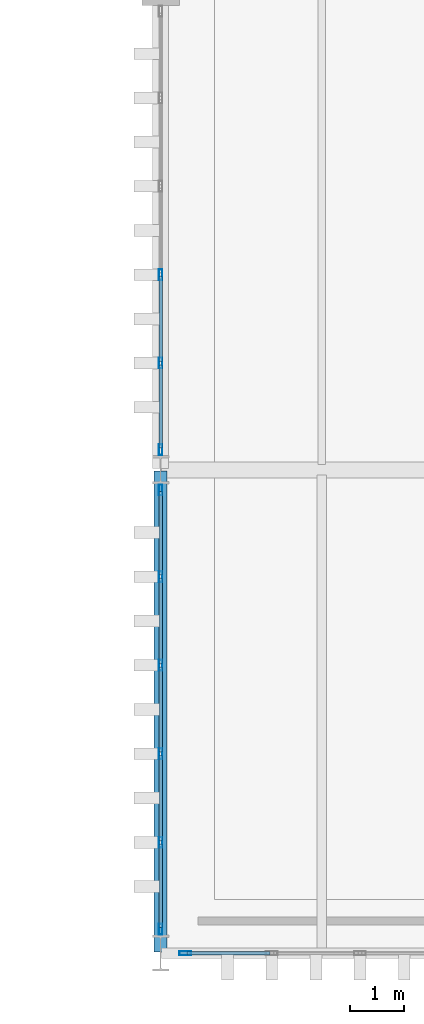
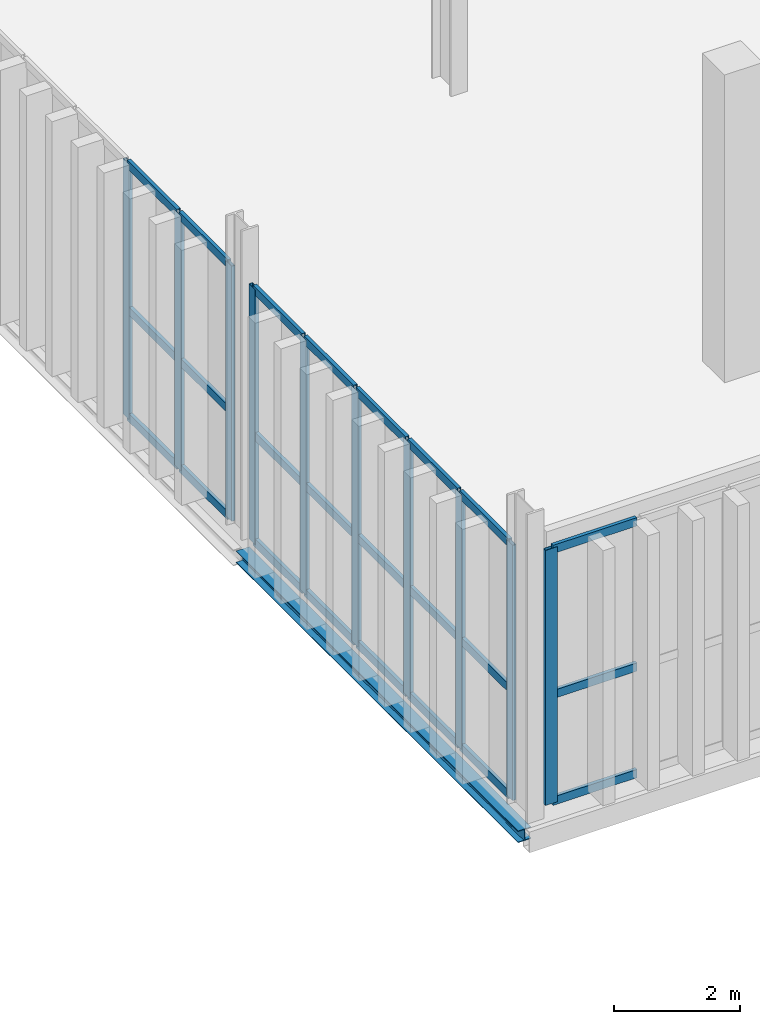
# One storey, part 57 of 211: 34 members, 1 beam, 3 elements without a shape of their own.
"""IFC4 building model written with IfcOpenShell, lengths in metres."""

from ifc_helpers import new_model, si_unit, direction, frame, origin, origin_2d, place, context, subcontext, project, spatial, hollow_rectangle, i_section, extrude, material, layer, layer_set, material_profile, profile_set, type_object, element, aggregate, save


model = new_model("IFC4")

# Units and contexts
model_context = context("Model", 3, precision=1e-05, world=origin(), true_north=direction((0.0, 1.0)))
body_context = subcontext(model_context, "Body", "Model", "MODEL_VIEW")
ifc_project = project(units=[si_unit("LENGTHUNIT", "METRE"), si_unit("AREAUNIT", "SQUARE_METRE"), si_unit("VOLUMEUNIT", "CUBIC_METRE"), si_unit("PLANEANGLEUNIT", "RADIAN"), si_unit("MASSUNIT", "GRAM", prefix="KILO")], contexts=[model_context])

# Site, building, storey
site_placement = place(None, origin())
site = spatial("IfcSite", under=ifc_project, at=site_placement, CompositionType="ELEMENT")
building_placement = place(site_placement, origin())
building = spatial("IfcBuilding", under=site, at=building_placement, Name="Barlavento Convention Centre", CompositionType="ELEMENT")
storey_placement = place(building_placement, frame((0.0, 0.0, 6.0)))
storey = spatial("IfcBuildingStorey", under=building, at=storey_placement, Name="L01", CompositionType="ELEMENT", Elevation=6.0)

# Curtain wall, members
ifc_material_1 = material(Name="Powder-coated aluminium and Low-E glass", Category="aluminium")
ifc_layer = layer(ifc_material_1, 0.18994140625)
ifc_layer_set = layer_set([ifc_layer], Name="ARC-CW-BALL-L01")
curtain_wall_type = type_object("IfcCurtainWallType", Name="ARC-CW-BALL-L01", PredefinedType="NOTDEFINED", material=ifc_layer_set)
curtain_wall_1_placement = place(storey_placement, origin())
curtain_wall_1 = element("IfcCurtainWall", 1, at=curtain_wall_1_placement, inside=storey, type_object=curtain_wall_type, Name="L01 unitised curtain wall CW06", PredefinedType="NOTDEFINED")
ifc_material_2 = material(Name="Powder-coated aluminium", Category="aluminium")
ifc_material_profile_1 = material_profile(ifc_material_2, hollow_rectangle(XDim=0.06494140625, YDim=0.199951171875, WallThickness=0.0048828125, at=origin_2d()), Name="AL-MULL 65x200x5")
ifc_profile_set_1 = profile_set([ifc_material_profile_1], Name="Powder-coated aluminium")
member_type_1 = type_object("IfcMemberType", Name="ARC-CWM-65X200", PredefinedType="MULLION", material=ifc_profile_set_1)
member_1_placement = place(storey_placement, frame((126.0, 0.446533203125, 0.0), z_axis=(0.0, 0.0, 1.0), x_axis=(-1.0, 0.0, 0.0)))
member_1 = element("IfcMember", 2, at=member_1_placement, type_object=member_type_1, Name="CW06 mullion 1", PredefinedType="MULLION", context=body_context, shape_type="SweptSolid", body=[
    extrude(hollow_rectangle(XDim=0.06494140625, YDim=0.199951171875, WallThickness=0.0048828125, at=origin_2d()), origin(), (0.0, 0.0, 1.0), 4.949951171875),
])
member_2_placement = place(storey_placement, frame((126.0, 2.062744140625, 0.0), z_axis=(0.0, 0.0, 1.0), x_axis=(-1.0, 0.0, 0.0)))
member_2 = element("IfcMember", 3, at=member_2_placement, type_object=member_type_1, Name="CW06 mullion 2", PredefinedType="MULLION", context=body_context, shape_type="SweptSolid", body=[
    extrude(hollow_rectangle(XDim=0.06494140625, YDim=0.199951171875, WallThickness=0.0048828125, at=origin_2d()), origin(), (0.0, 0.0, 1.0), 4.949951171875),
])
member_3_placement = place(storey_placement, frame((126.0, 3.711669921875, 0.0), z_axis=(0.0, 0.0, 1.0), x_axis=(-1.0, 0.0, 0.0)))
member_3 = element("IfcMember", 4, at=member_3_placement, type_object=member_type_1, Name="CW06 mullion 3", PredefinedType="MULLION", context=body_context, shape_type="SweptSolid", body=[
    extrude(hollow_rectangle(XDim=0.06494140625, YDim=0.199951171875, WallThickness=0.0048828125, at=origin_2d()), origin(), (0.0, 0.0, 1.0), 4.949951171875),
])
member_4_placement = place(storey_placement, frame((126.0, 5.3603515625, 0.0), z_axis=(0.0, 0.0, 1.0), x_axis=(-1.0, 0.0, 0.0)))
member_4 = element("IfcMember", 5, at=member_4_placement, type_object=member_type_1, Name="CW06 mullion 4", PredefinedType="MULLION", context=body_context, shape_type="SweptSolid", body=[
    extrude(hollow_rectangle(XDim=0.06494140625, YDim=0.199951171875, WallThickness=0.0048828125, at=origin_2d()), origin(), (0.0, 0.0, 1.0), 4.949951171875),
])
member_5_placement = place(storey_placement, frame((126.0, 7.00927734375, 0.0), z_axis=(0.0, 0.0, 1.0), x_axis=(-1.0, 0.0, 0.0)))
member_5 = element("IfcMember", 6, at=member_5_placement, type_object=member_type_1, Name="CW06 mullion 5", PredefinedType="MULLION", context=body_context, shape_type="SweptSolid", body=[
    extrude(hollow_rectangle(XDim=0.06494140625, YDim=0.199951171875, WallThickness=0.0048828125, at=origin_2d()), origin(), (0.0, 0.0, 1.0), 4.949951171875),
])
member_6_placement = place(storey_placement, frame((126.0, 8.62548828125, 0.0), z_axis=(0.0, 0.0, 1.0), x_axis=(-1.0, 0.0, 0.0)))
member_6 = element("IfcMember", 7, at=member_6_placement, type_object=member_type_1, Name="CW06 mullion 6", PredefinedType="MULLION", context=body_context, shape_type="SweptSolid", body=[
    extrude(hollow_rectangle(XDim=0.06494140625, YDim=0.199951171875, WallThickness=0.0048828125, at=origin_2d()), origin(), (0.0, 0.0, 1.0), 4.949951171875),
])

curtain_wall_2_placement = place(storey_placement, origin())
curtain_wall_2 = element("IfcCurtainWall", 8, at=curtain_wall_2_placement, inside=storey, type_object=curtain_wall_type, Name="L01 unitised curtain wall CW06", PredefinedType="NOTDEFINED")
member_7_placement = place(storey_placement, frame((126.0, 9.37451171875, 0.0), z_axis=(0.0, 0.0, 1.0), x_axis=(-1.0, 0.0, 0.0)))
member_7 = element("IfcMember", 9, at=member_7_placement, type_object=member_type_1, Name="CW06 mullion 1", PredefinedType="MULLION", context=body_context, shape_type="SweptSolid", body=[
    extrude(hollow_rectangle(XDim=0.06494140625, YDim=0.199951171875, WallThickness=0.0048828125, at=origin_2d()), origin(), (0.0, 0.0, 1.0), 4.949951171875),
])
member_8_placement = place(storey_placement, frame((126.0, 10.987548828125, 0.0), z_axis=(0.0, 0.0, 1.0), x_axis=(-1.0, 0.0, 0.0)))
member_8 = element("IfcMember", 10, at=member_8_placement, type_object=member_type_1, Name="CW06 mullion 2", PredefinedType="MULLION", context=body_context, shape_type="SweptSolid", body=[
    extrude(hollow_rectangle(XDim=0.06494140625, YDim=0.199951171875, WallThickness=0.0048828125, at=origin_2d()), origin(), (0.0, 0.0, 1.0), 4.949951171875),
])
member_9_placement = place(storey_placement, frame((126.0, 12.63330078125, 0.0), z_axis=(0.0, 0.0, 1.0), x_axis=(-1.0, 0.0, 0.0)))
member_9 = element("IfcMember", 11, at=member_9_placement, type_object=member_type_1, Name="CW06 mullion 3", PredefinedType="MULLION", context=body_context, shape_type="SweptSolid", body=[
    extrude(hollow_rectangle(XDim=0.06494140625, YDim=0.199951171875, WallThickness=0.0048828125, at=origin_2d()), origin(), (0.0, 0.0, 1.0), 4.949951171875),
])

curtain_wall_3_placement = place(storey_placement, origin())
curtain_wall_3 = element("IfcCurtainWall", 12, at=curtain_wall_3_placement, inside=storey, type_object=curtain_wall_type, Name="L01 unitised curtain wall CW06", PredefinedType="NOTDEFINED")
ifc_material_profile_2 = material_profile(ifc_material_2, hollow_rectangle(XDim=0.070068359375, YDim=0.219970703125, WallThickness=0.006103515625, at=origin_2d()), Name="AL-MULL 70x220x6")
ifc_profile_set_2 = profile_set([ifc_material_profile_2], Name="Powder-coated aluminium")
member_type_2 = type_object("IfcMemberType", Name="ARC-CWM-70X220", PredefinedType="MULLION", material=ifc_profile_set_2)
member_10_placement = place(storey_placement, frame((126.458984375, 0.0, 0.0), z_axis=(0.0, 0.0, 1.0), x_axis=(0.0, 1.0, 0.0)))
member_10 = element("IfcMember", 13, at=member_10_placement, type_object=member_type_2, Name="CW06 mullion 1", PredefinedType="MULLION", context=body_context, shape_type="SweptSolid", body=[
    extrude(hollow_rectangle(XDim=0.070068359375, YDim=0.219970703125, WallThickness=0.006103515625, at=origin_2d()), origin(), (0.0, 0.0, 1.0), 4.949951171875),
])
ifc_material_profile_3 = material_profile(ifc_material_2, hollow_rectangle(XDim=0.06494140625, YDim=0.159912109375, WallThickness=0.0048828125, at=origin_2d()), Name="AL-TRAN 65x160x5")
ifc_profile_set_3 = profile_set([ifc_material_profile_3], Name="Powder-coated aluminium")
member_type_3 = type_object("IfcMemberType", Name="ARC-CWT-65X160", PredefinedType="USERDEFINED", material=ifc_profile_set_3)
member_11_placement = place(storey_placement, frame((126.493896484375, 0.0, 0.032470703125), z_axis=(1.0, 0.0, 0.0), x_axis=(0.0, 1.0, 0.0)))
member_11 = element("IfcMember", 14, at=member_11_placement, type_object=member_type_3, Name="CW06 transom 1.1", ObjectType="TRANSOM", PredefinedType="USERDEFINED", context=body_context, shape_type="SweptSolid", body=[
    extrude(hollow_rectangle(XDim=0.06494140625, YDim=0.159912109375, WallThickness=0.0048828125, at=origin_2d()), origin(), (0.0, 0.0, 1.0), 1.539794921875),
])
member_12_placement = place(storey_placement, frame((126.493896484375, 0.0, 2.10009765625), z_axis=(1.0, 0.0, 0.0), x_axis=(0.0, 1.0, 0.0)))
member_12 = element("IfcMember", 15, at=member_12_placement, type_object=member_type_3, Name="CW06 transom 1.2", ObjectType="TRANSOM", PredefinedType="USERDEFINED", context=body_context, shape_type="SweptSolid", body=[
    extrude(hollow_rectangle(XDim=0.06494140625, YDim=0.159912109375, WallThickness=0.0048828125, at=origin_2d()), origin(), (0.0, 0.0, 1.0), 1.539794921875),
])
member_13_placement = place(storey_placement, frame((126.493896484375, 0.0, 4.91748046875), z_axis=(1.0, 0.0, 0.0), x_axis=(0.0, 1.0, 0.0)))
member_13 = element("IfcMember", 16, at=member_13_placement, type_object=member_type_3, Name="CW06 transom 1.3", ObjectType="TRANSOM", PredefinedType="USERDEFINED", context=body_context, shape_type="SweptSolid", body=[
    extrude(hollow_rectangle(XDim=0.06494140625, YDim=0.159912109375, WallThickness=0.0048828125, at=origin_2d()), origin(), (0.0, 0.0, 1.0), 1.539794921875),
])
aggregate(curtain_wall_3, [member_10, member_11, member_12, member_13])

# Member
member_14_placement = place(storey_placement, frame((126.0, 0.47900390625, 0.032470703125), z_axis=(0.0, 1.0, 0.0), x_axis=(-1.0, 0.0, 0.0)))
member_14 = element("IfcMember", 17, at=member_14_placement, type_object=member_type_3, Name="CW06 transom 1.1", ObjectType="TRANSOM", PredefinedType="USERDEFINED", context=body_context, shape_type="SweptSolid", body=[
    extrude(hollow_rectangle(XDim=0.06494140625, YDim=0.159912109375, WallThickness=0.0048828125, at=origin_2d()), origin(), (0.0, 0.0, 1.0), 1.55126953125),
])

member_15_placement = place(storey_placement, frame((126.0, 0.47900390625, 2.10009765625), z_axis=(0.0, 1.0, 0.0), x_axis=(-1.0, 0.0, 0.0)))
member_15 = element("IfcMember", 18, at=member_15_placement, type_object=member_type_3, Name="CW06 transom 1.2", ObjectType="TRANSOM", PredefinedType="USERDEFINED", context=body_context, shape_type="SweptSolid", body=[
    extrude(hollow_rectangle(XDim=0.06494140625, YDim=0.159912109375, WallThickness=0.0048828125, at=origin_2d()), origin(), (0.0, 0.0, 1.0), 1.55126953125),
])

member_16_placement = place(storey_placement, frame((126.0, 0.47900390625, 4.91748046875), z_axis=(0.0, 1.0, 0.0), x_axis=(-1.0, 0.0, 0.0)))
member_16 = element("IfcMember", 19, at=member_16_placement, type_object=member_type_3, Name="CW06 transom 1.3", ObjectType="TRANSOM", PredefinedType="USERDEFINED", context=body_context, shape_type="SweptSolid", body=[
    extrude(hollow_rectangle(XDim=0.06494140625, YDim=0.159912109375, WallThickness=0.0048828125, at=origin_2d()), origin(), (0.0, 0.0, 1.0), 1.55126953125),
])

member_17_placement = place(storey_placement, frame((126.0, 2.09521484375, 0.032470703125), z_axis=(0.0, 1.0, 0.0), x_axis=(-1.0, 0.0, 0.0)))
member_17 = element("IfcMember", 20, at=member_17_placement, type_object=member_type_3, Name="CW06 transom 2.1", ObjectType="TRANSOM", PredefinedType="USERDEFINED", context=body_context, shape_type="SweptSolid", body=[
    extrude(hollow_rectangle(XDim=0.06494140625, YDim=0.159912109375, WallThickness=0.0048828125, at=origin_2d()), origin(), (0.0, 0.0, 1.0), 1.583984375),
])

member_18_placement = place(storey_placement, frame((126.0, 2.09521484375, 2.10009765625), z_axis=(0.0, 1.0, 0.0), x_axis=(-1.0, 0.0, 0.0)))
member_18 = element("IfcMember", 21, at=member_18_placement, type_object=member_type_3, Name="CW06 transom 2.2", ObjectType="TRANSOM", PredefinedType="USERDEFINED", context=body_context, shape_type="SweptSolid", body=[
    extrude(hollow_rectangle(XDim=0.06494140625, YDim=0.159912109375, WallThickness=0.0048828125, at=origin_2d()), origin(), (0.0, 0.0, 1.0), 1.583984375),
])

member_19_placement = place(storey_placement, frame((126.0, 2.09521484375, 4.91748046875), z_axis=(0.0, 1.0, 0.0), x_axis=(-1.0, 0.0, 0.0)))
member_19 = element("IfcMember", 22, at=member_19_placement, type_object=member_type_3, Name="CW06 transom 2.3", ObjectType="TRANSOM", PredefinedType="USERDEFINED", context=body_context, shape_type="SweptSolid", body=[
    extrude(hollow_rectangle(XDim=0.06494140625, YDim=0.159912109375, WallThickness=0.0048828125, at=origin_2d()), origin(), (0.0, 0.0, 1.0), 1.583984375),
])

member_20_placement = place(storey_placement, frame((126.0, 3.744140625, 0.032470703125), z_axis=(0.0, 1.0, 0.0), x_axis=(-1.0, 0.0, 0.0)))
member_20 = element("IfcMember", 23, at=member_20_placement, type_object=member_type_3, Name="CW06 transom 3.1", ObjectType="TRANSOM", PredefinedType="USERDEFINED", context=body_context, shape_type="SweptSolid", body=[
    extrude(hollow_rectangle(XDim=0.06494140625, YDim=0.159912109375, WallThickness=0.0048828125, at=origin_2d()), origin(), (0.0, 0.0, 1.0), 1.583740234375),
])

member_21_placement = place(storey_placement, frame((126.0, 3.744140625, 2.10009765625), z_axis=(0.0, 1.0, 0.0), x_axis=(-1.0, 0.0, 0.0)))
member_21 = element("IfcMember", 24, at=member_21_placement, type_object=member_type_3, Name="CW06 transom 3.2", ObjectType="TRANSOM", PredefinedType="USERDEFINED", context=body_context, shape_type="SweptSolid", body=[
    extrude(hollow_rectangle(XDim=0.06494140625, YDim=0.159912109375, WallThickness=0.0048828125, at=origin_2d()), origin(), (0.0, 0.0, 1.0), 1.583740234375),
])

member_22_placement = place(storey_placement, frame((126.0, 3.744140625, 4.91748046875), z_axis=(0.0, 1.0, 0.0), x_axis=(-1.0, 0.0, 0.0)))
member_22 = element("IfcMember", 25, at=member_22_placement, type_object=member_type_3, Name="CW06 transom 3.3", ObjectType="TRANSOM", PredefinedType="USERDEFINED", context=body_context, shape_type="SweptSolid", body=[
    extrude(hollow_rectangle(XDim=0.06494140625, YDim=0.159912109375, WallThickness=0.0048828125, at=origin_2d()), origin(), (0.0, 0.0, 1.0), 1.583740234375),
])

member_23_placement = place(storey_placement, frame((126.0, 5.392822265625, 0.032470703125), z_axis=(0.0, 1.0, 0.0), x_axis=(-1.0, 0.0, 0.0)))
member_23 = element("IfcMember", 26, at=member_23_placement, type_object=member_type_3, Name="CW06 transom 4.1", ObjectType="TRANSOM", PredefinedType="USERDEFINED", context=body_context, shape_type="SweptSolid", body=[
    extrude(hollow_rectangle(XDim=0.06494140625, YDim=0.159912109375, WallThickness=0.0048828125, at=origin_2d()), origin(), (0.0, 0.0, 1.0), 1.583984375),
])

member_24_placement = place(storey_placement, frame((126.0, 5.392822265625, 2.10009765625), z_axis=(0.0, 1.0, 0.0), x_axis=(-1.0, 0.0, 0.0)))
member_24 = element("IfcMember", 27, at=member_24_placement, type_object=member_type_3, Name="CW06 transom 4.2", ObjectType="TRANSOM", PredefinedType="USERDEFINED", context=body_context, shape_type="SweptSolid", body=[
    extrude(hollow_rectangle(XDim=0.06494140625, YDim=0.159912109375, WallThickness=0.0048828125, at=origin_2d()), origin(), (0.0, 0.0, 1.0), 1.583984375),
])

member_25_placement = place(storey_placement, frame((126.0, 5.392822265625, 4.91748046875), z_axis=(0.0, 1.0, 0.0), x_axis=(-1.0, 0.0, 0.0)))
member_25 = element("IfcMember", 28, at=member_25_placement, type_object=member_type_3, Name="CW06 transom 4.3", ObjectType="TRANSOM", PredefinedType="USERDEFINED", context=body_context, shape_type="SweptSolid", body=[
    extrude(hollow_rectangle(XDim=0.06494140625, YDim=0.159912109375, WallThickness=0.0048828125, at=origin_2d()), origin(), (0.0, 0.0, 1.0), 1.583984375),
])

member_26_placement = place(storey_placement, frame((126.0, 7.041748046875, 0.032470703125), z_axis=(0.0, 1.0, 0.0), x_axis=(-1.0, 0.0, 0.0)))
member_26 = element("IfcMember", 29, at=member_26_placement, type_object=member_type_3, Name="CW06 transom 5.1", ObjectType="TRANSOM", PredefinedType="USERDEFINED", context=body_context, shape_type="SweptSolid", body=[
    extrude(hollow_rectangle(XDim=0.06494140625, YDim=0.159912109375, WallThickness=0.0048828125, at=origin_2d()), origin(), (0.0, 0.0, 1.0), 1.55126953125),
])

member_27_placement = place(storey_placement, frame((126.0, 7.041748046875, 2.10009765625), z_axis=(0.0, 1.0, 0.0), x_axis=(-1.0, 0.0, 0.0)))
member_27 = element("IfcMember", 30, at=member_27_placement, type_object=member_type_3, Name="CW06 transom 5.2", ObjectType="TRANSOM", PredefinedType="USERDEFINED", context=body_context, shape_type="SweptSolid", body=[
    extrude(hollow_rectangle(XDim=0.06494140625, YDim=0.159912109375, WallThickness=0.0048828125, at=origin_2d()), origin(), (0.0, 0.0, 1.0), 1.55126953125),
])

member_28_placement = place(storey_placement, frame((126.0, 7.041748046875, 4.91748046875), z_axis=(0.0, 1.0, 0.0), x_axis=(-1.0, 0.0, 0.0)))
member_28 = element("IfcMember", 31, at=member_28_placement, type_object=member_type_3, Name="CW06 transom 5.3", ObjectType="TRANSOM", PredefinedType="USERDEFINED", context=body_context, shape_type="SweptSolid", body=[
    extrude(hollow_rectangle(XDim=0.06494140625, YDim=0.159912109375, WallThickness=0.0048828125, at=origin_2d()), origin(), (0.0, 0.0, 1.0), 1.55126953125),
])

aggregate(curtain_wall_1, [member_1, member_2, member_3, member_4, member_5, member_6, member_14, member_15, member_16, member_17, member_18, member_19, member_20, member_21, member_22, member_23, member_24, member_25, member_26, member_27, member_28])

member_29_placement = place(storey_placement, frame((126.0, 9.406982421875, 0.032470703125), z_axis=(0.0, 1.0, 0.0), x_axis=(-1.0, 0.0, 0.0)))
member_29 = element("IfcMember", 32, at=member_29_placement, type_object=member_type_3, Name="CW06 transom 1.1", ObjectType="TRANSOM", PredefinedType="USERDEFINED", context=body_context, shape_type="SweptSolid", body=[
    extrude(hollow_rectangle(XDim=0.06494140625, YDim=0.159912109375, WallThickness=0.0048828125, at=origin_2d()), origin(), (0.0, 0.0, 1.0), 1.548095703125),
])

member_30_placement = place(storey_placement, frame((126.0, 9.406982421875, 2.10009765625), z_axis=(0.0, 1.0, 0.0), x_axis=(-1.0, 0.0, 0.0)))
member_30 = element("IfcMember", 33, at=member_30_placement, type_object=member_type_3, Name="CW06 transom 1.2", ObjectType="TRANSOM", PredefinedType="USERDEFINED", context=body_context, shape_type="SweptSolid", body=[
    extrude(hollow_rectangle(XDim=0.06494140625, YDim=0.159912109375, WallThickness=0.0048828125, at=origin_2d()), origin(), (0.0, 0.0, 1.0), 1.548095703125),
])

member_31_placement = place(storey_placement, frame((126.0, 9.406982421875, 4.91748046875), z_axis=(0.0, 1.0, 0.0), x_axis=(-1.0, 0.0, 0.0)))
member_31 = element("IfcMember", 34, at=member_31_placement, type_object=member_type_3, Name="CW06 transom 1.3", ObjectType="TRANSOM", PredefinedType="USERDEFINED", context=body_context, shape_type="SweptSolid", body=[
    extrude(hollow_rectangle(XDim=0.06494140625, YDim=0.159912109375, WallThickness=0.0048828125, at=origin_2d()), origin(), (0.0, 0.0, 1.0), 1.548095703125),
])

member_32_placement = place(storey_placement, frame((126.0, 11.02001953125, 0.032470703125), z_axis=(0.0, 1.0, 0.0), x_axis=(-1.0, 0.0, 0.0)))
member_32 = element("IfcMember", 35, at=member_32_placement, type_object=member_type_3, Name="CW06 transom 2.1", ObjectType="TRANSOM", PredefinedType="USERDEFINED", context=body_context, shape_type="SweptSolid", body=[
    extrude(hollow_rectangle(XDim=0.06494140625, YDim=0.159912109375, WallThickness=0.0048828125, at=origin_2d()), origin(), (0.0, 0.0, 1.0), 1.58056640625),
])

member_33_placement = place(storey_placement, frame((126.0, 11.02001953125, 2.10009765625), z_axis=(0.0, 1.0, 0.0), x_axis=(-1.0, 0.0, 0.0)))
member_33 = element("IfcMember", 36, at=member_33_placement, type_object=member_type_3, Name="CW06 transom 2.2", ObjectType="TRANSOM", PredefinedType="USERDEFINED", context=body_context, shape_type="SweptSolid", body=[
    extrude(hollow_rectangle(XDim=0.06494140625, YDim=0.159912109375, WallThickness=0.0048828125, at=origin_2d()), origin(), (0.0, 0.0, 1.0), 1.58056640625),
])

member_34_placement = place(storey_placement, frame((126.0, 11.02001953125, 4.91748046875), z_axis=(0.0, 1.0, 0.0), x_axis=(-1.0, 0.0, 0.0)))
member_34 = element("IfcMember", 37, at=member_34_placement, type_object=member_type_3, Name="CW06 transom 2.3", ObjectType="TRANSOM", PredefinedType="USERDEFINED", context=body_context, shape_type="SweptSolid", body=[
    extrude(hollow_rectangle(XDim=0.06494140625, YDim=0.159912109375, WallThickness=0.0048828125, at=origin_2d()), origin(), (0.0, 0.0, 1.0), 1.58056640625),
])

aggregate(curtain_wall_2, [member_7, member_8, member_9, member_29, member_30, member_31, member_32, member_33, member_34])

# Beam
ifc_material_3 = material(Name="Steel S355", Category="steel")
ifc_material_profile_4 = material_profile(ifc_material_3, i_section(OverallWidth=0.239990234375, OverallDepth=0.22998046875, WebThickness=0.007568359375, FlangeThickness=0.011962890625, FilletRadius=0.02099609375, at=origin_2d()), Name="HEA 240")
ifc_profile_set_4 = profile_set([ifc_material_profile_4], Name="Steel S355")
beam_type = type_object("IfcBeamType", Name="STR-BM-SPN-HEA240", PredefinedType="SPANDREL", material=ifc_profile_set_4)
beam_placement = place(storey_placement, frame((126.0, 0.02001953125, -0.47509765625), z_axis=(0.0, 1.0, 0.0), x_axis=(-1.0, 0.0, 0.0)))
element("IfcBeam", 38, at=beam_placement, inside=storey, type_object=beam_type, Name="L01 grid girder SP05", PredefinedType="SPANDREL", context=body_context, shape_type="SweptSolid", body=[
    extrude(i_section(OverallWidth=0.239990234375, OverallDepth=0.22998046875, WebThickness=0.007568359375, FlangeThickness=0.011962890625, FilletRadius=0.02099609375, at=origin_2d()), origin(), (0.0, 0.0, 1.0), 8.9599609375),
])

save(model, "model.ifc")
